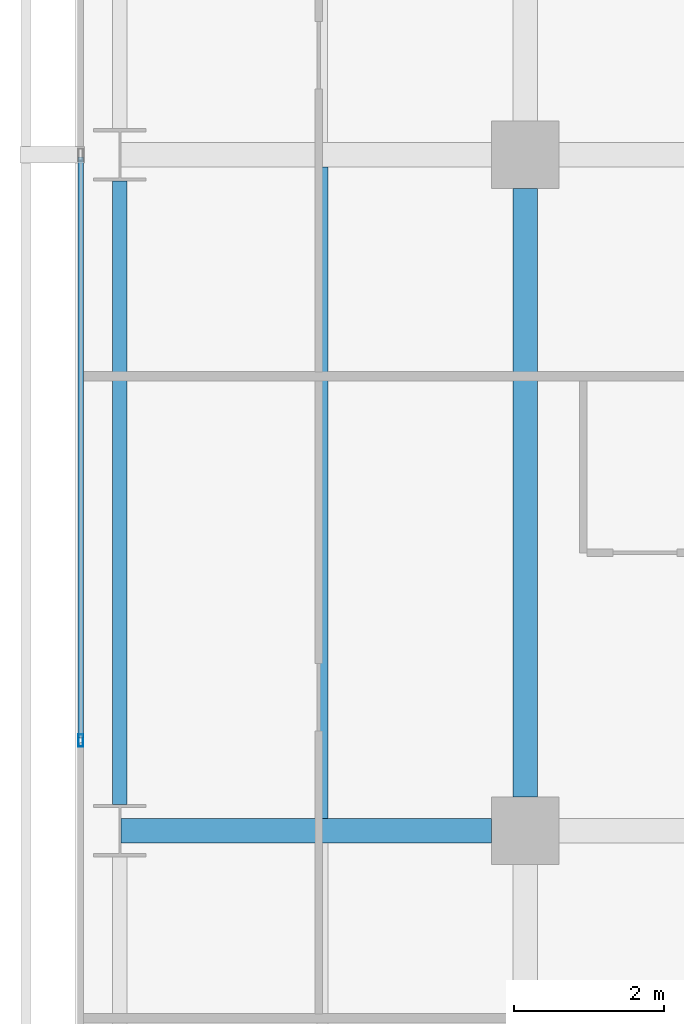
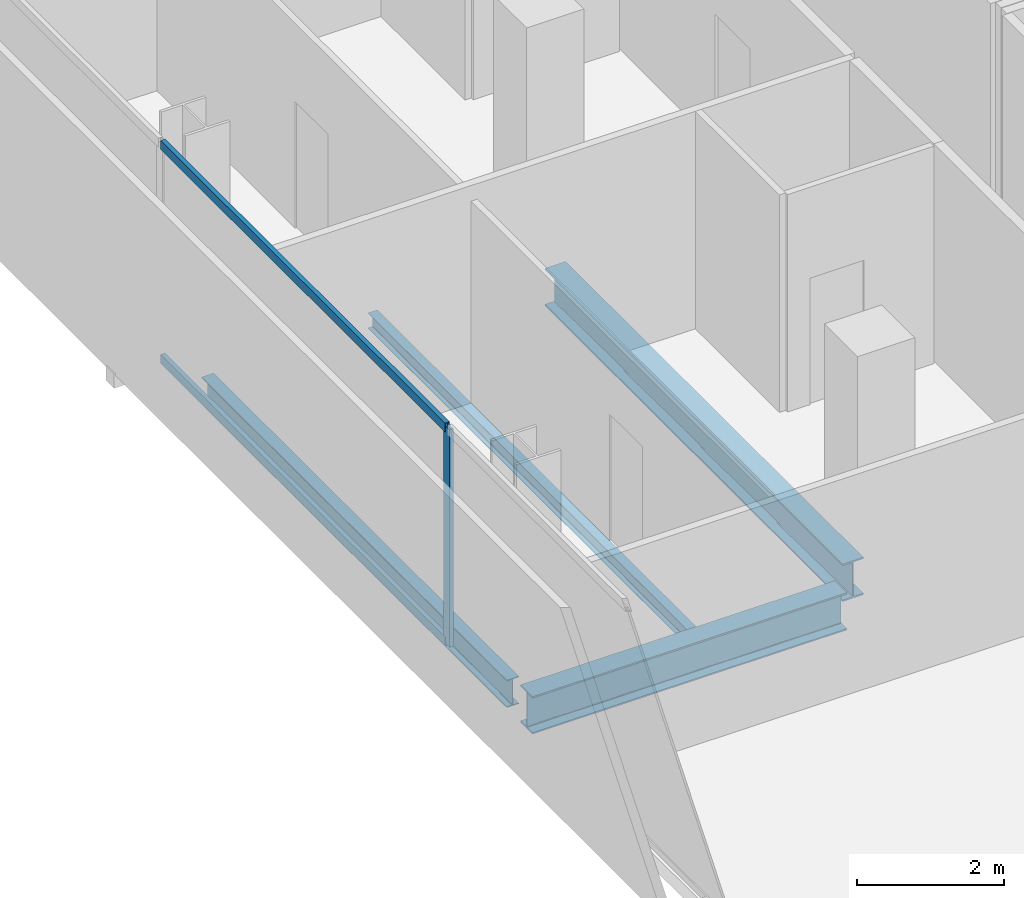
# One storey, part 10 of 39: 4 beams, 3 members, 1 element without a shape of its own.
"""IFC4 building model written with IfcOpenShell, lengths in metres."""

from ifc_helpers import new_model, si_unit, direction, frame, origin, origin_2d, place, context, subcontext, project, spatial, hollow_rectangle, i_section, extrude, material, layer, layer_set, material_profile, profile_set, type_object, element, aggregate, save


model = new_model("IFC4")

# Units and contexts
model_context = context("Model", 3, precision=1e-05, world=origin(), true_north=direction((0.0, 1.0)))
body_context = subcontext(model_context, "Body", "Model", "MODEL_VIEW")
ifc_project = project(units=[si_unit("LENGTHUNIT", "METRE"), si_unit("AREAUNIT", "SQUARE_METRE"), si_unit("VOLUMEUNIT", "CUBIC_METRE"), si_unit("PLANEANGLEUNIT", "RADIAN"), si_unit("MASSUNIT", "GRAM", prefix="KILO")], contexts=[model_context])

# Site, building, storey
site_placement = place(None, origin())
site = spatial("IfcSite", under=ifc_project, at=site_placement, CompositionType="ELEMENT")
building_placement = place(site_placement, origin())
building = spatial("IfcBuilding", under=site, at=building_placement, Name="Maruvema Waterfront Hotel and Observation Tower", CompositionType="ELEMENT")
storey_placement = place(building_placement, frame((0.0, 0.0, 65.449951171875)))
storey = spatial("IfcBuildingStorey", under=building, at=storey_placement, Name="L15", CompositionType="ELEMENT", Elevation=65.449951171875)

# Curtain wall, members
ifc_material_1 = material(Name="Anodised bronze aluminium and solar-control low-E IGU", Category="aluminium")
ifc_layer = layer(ifc_material_1, 0.159912109375, Name="Zone 1 Bronze Inner Thermal Curtain Wall System CW-02")
ifc_layer_set = layer_set([ifc_layer], Name="Anodised bronze aluminium and solar-control low-E IGU")
curtain_wall_type = type_object("IfcCurtainWallType", Name="Zone 1 Bronze Inner Thermal Curtain Wall System CW-02", PredefinedType="USERDEFINED", material=ifc_layer_set)
curtain_wall_placement = place(storey_placement, origin())
curtain_wall = element("IfcCurtainWall", 1, at=curtain_wall_placement, inside=storey, type_object=curtain_wall_type, Name="L15 Curtain Wall CW-L15-W", ObjectType="UNITISED CURTAIN WALL", PredefinedType="USERDEFINED")
ifc_material_2 = material(Name="Anodised architectural bronze aluminium", Category="aluminium")
ifc_material_profile_1 = material_profile(ifc_material_2, hollow_rectangle(XDim=0.070068359375, YDim=0.14990234375, WallThickness=0.00390625, at=origin_2d()), Name="ALU-T70x150")
ifc_profile_set_1 = profile_set([ifc_material_profile_1], Name="Anodised architectural bronze aluminium")
member_type_1 = type_object("IfcMemberType", Name="Curtain Wall Horizontal Transom ALU-T70x150", PredefinedType="USERDEFINED", material=ifc_profile_set_1)
member_1_placement = place(storey_placement, frame((10.8798828125, 26.969970703125, 0.030029296875), z_axis=(0.0, -1.0, 0.0), x_axis=(1.0, 0.0, 0.0)))
member_1 = element("IfcMember", 2, at=member_1_placement, type_object=member_type_1, Name="CW-02 transom 4.1", ObjectType="TRANSOM", PredefinedType="USERDEFINED", context=body_context, shape_type="SweptSolid", body=[
    extrude(hollow_rectangle(XDim=0.070068359375, YDim=0.14990234375, WallThickness=0.00390625, at=origin_2d()), origin(), (0.0, 0.0, 1.0), 7.739990234375),
])
member_2_placement = place(storey_placement, frame((10.8798828125, 26.969970703125, 3.580078125), z_axis=(0.0, -1.0, 0.0), x_axis=(1.0, 0.0, 0.0)))
member_2 = element("IfcMember", 3, at=member_2_placement, type_object=member_type_1, Name="CW-02 transom 4.2", ObjectType="TRANSOM", PredefinedType="USERDEFINED", context=body_context, shape_type="SweptSolid", body=[
    extrude(hollow_rectangle(XDim=0.070068359375, YDim=0.14990234375, WallThickness=0.00390625, at=origin_2d()), origin(), (0.0, 0.0, 1.0), 7.739990234375),
])
ifc_material_3 = material(Name="Anodised architectural bronze aluminium", Category="aluminium")
ifc_material_profile_2 = material_profile(ifc_material_3, hollow_rectangle(XDim=0.06494140625, YDim=0.1650390625, WallThickness=0.00390625, at=origin_2d()), Name="ALU-M65x165")
ifc_profile_set_2 = profile_set([ifc_material_profile_2], Name="Anodised architectural bronze aluminium")
member_type_2 = type_object("IfcMemberType", Name="Curtain Wall Primary Mullion ALU-M65x165", PredefinedType="MULLION", material=ifc_profile_set_2)
member_3_placement = place(storey_placement, frame((10.8798828125, 19.199951171875, 0.0), z_axis=(0.0, 0.0, 1.0), x_axis=(1.0, 0.0, 0.0)))
member_3 = element("IfcMember", 4, at=member_3_placement, type_object=member_type_2, Name="CW-02 mullion 5", PredefinedType="MULLION", context=body_context, shape_type="SweptSolid", body=[
    extrude(hollow_rectangle(XDim=0.06494140625, YDim=0.1650390625, WallThickness=0.00390625, at=origin_2d()), origin(), (0.0, 0.0, 1.0), 3.610107421875),
])
aggregate(curtain_wall, [member_3, member_1, member_2])

# Beams
ifc_material_4 = material(Name="Steel ASTM A572 Grade 50", Category="steel")
ifc_material_profile_3 = material_profile(ifc_material_4, i_section(OverallWidth=0.18994140625, OverallDepth=0.45703125, WebThickness=0.009033203125, FlangeThickness=0.014404296875, FilletRadius=0.014892578125, at=origin_2d()), Name="W460x74.0")
ifc_profile_set_3 = profile_set([ifc_material_profile_3], Name="Steel ASTM A572 Grade 50")
beam_type_1 = type_object("IfcBeamType", Name="Perimeter Spandrel Beam W460x74.0", PredefinedType="SPANDREL", material=ifc_profile_set_3)
beam_1_placement = place(storey_placement, frame((11.39990234375, 18.35009765625, -0.468505859375), z_axis=(0.0, 1.0, 0.0), x_axis=(-1.0, 0.0, 0.0)))
element("IfcBeam", 5, at=beam_1_placement, inside=storey, type_object=beam_type_1, Name="L15 Floor Girder NS-02", PredefinedType="SPANDREL", context=body_context, shape_type="SweptSolid", body=[
    extrude(i_section(OverallWidth=0.18994140625, OverallDepth=0.45703125, WebThickness=0.009033203125, FlangeThickness=0.014404296875, FilletRadius=0.014892578125, at=origin_2d()), origin(), (0.0, 0.0, 1.0), 8.2998046875),
])
ifc_material_5 = material(Name="Steel ASTM A572 Grade 50", Category="steel")
ifc_material_profile_4 = material_profile(ifc_material_5, i_section(OverallWidth=0.326904296875, OverallDepth=0.6220703125, WebThickness=0.015380859375, FlangeThickness=0.0244140625, FilletRadius=0.01806640625, at=origin_2d()), Name="W610x195.0")
ifc_profile_set_4 = profile_set([ifc_material_profile_4], Name="Steel ASTM A572 Grade 50")
beam_type_2 = type_object("IfcBeamType", Name="Primary Floor Girder W610x195.0", PredefinedType="BEAM", material=ifc_profile_set_4)
beam_2_placement = place(storey_placement, frame((11.4140625, 18.0, -0.551025390625), z_axis=(1.0, 0.0, 0.0), x_axis=(0.0, 1.0, 0.0)))
element("IfcBeam", 6, at=beam_2_placement, inside=storey, type_object=beam_type_2, Name="L15 Floor Girder EW-13", PredefinedType="BEAM", context=body_context, shape_type="SweptSolid", body=[
    extrude(i_section(OverallWidth=0.326904296875, OverallDepth=0.6220703125, WebThickness=0.015380859375, FlangeThickness=0.0244140625, FilletRadius=0.01806640625, at=origin_2d()), origin(), (0.0, 0.0, 1.0), 4.93603515625),
])
beam_3_placement = place(storey_placement, frame((16.800048828125, 18.449951171875, -0.551025390625), z_axis=(0.0, 1.0, 0.0), x_axis=(-1.0, 0.0, 0.0)))
element("IfcBeam", 7, at=beam_3_placement, inside=storey, type_object=beam_type_2, Name="L15 Floor Girder NS-07", PredefinedType="BEAM", context=body_context, shape_type="SweptSolid", body=[
    extrude(i_section(OverallWidth=0.326904296875, OverallDepth=0.6220703125, WebThickness=0.015380859375, FlangeThickness=0.0244140625, FilletRadius=0.01806640625, at=origin_2d()), origin(), (0.0, 0.0, 1.0), 8.10009765625),
])
ifc_material_6 = material(Name="Steel ASTM A572 Grade 50", Category="steel")
ifc_material_profile_5 = material_profile(ifc_material_6, i_section(OverallWidth=0.14599609375, OverallDepth=0.258056640625, WebThickness=0.006103515625, FlangeThickness=0.009033203125, FilletRadius=0.012939453125, at=origin_2d()), Name="W250x32.7")
ifc_profile_set_5 = profile_set([ifc_material_profile_5], Name="Steel ASTM A572 Grade 50")
beam_type_3 = type_object("IfcBeamType", Name="Secondary Floor Joist W250x32.7", PredefinedType="JOIST", material=ifc_profile_set_5)
beam_4_placement = place(storey_placement, frame((14.10009765625, 18.16357421875, -0.368896484375), z_axis=(0.0, 1.0, 0.0), x_axis=(-1.0, 0.0, 0.0)))
element("IfcBeam", 8, at=beam_4_placement, inside=storey, type_object=beam_type_3, Name="L15 Secondary Floor Joist JS-02", PredefinedType="JOIST", context=body_context, shape_type="SweptSolid", body=[
    extrude(i_section(OverallWidth=0.14599609375, OverallDepth=0.258056640625, WebThickness=0.006103515625, FlangeThickness=0.009033203125, FilletRadius=0.012939453125, at=origin_2d()), origin(), (0.0, 0.0, 1.0), 8.6728515625),
])

save(model, "model.ifc")
